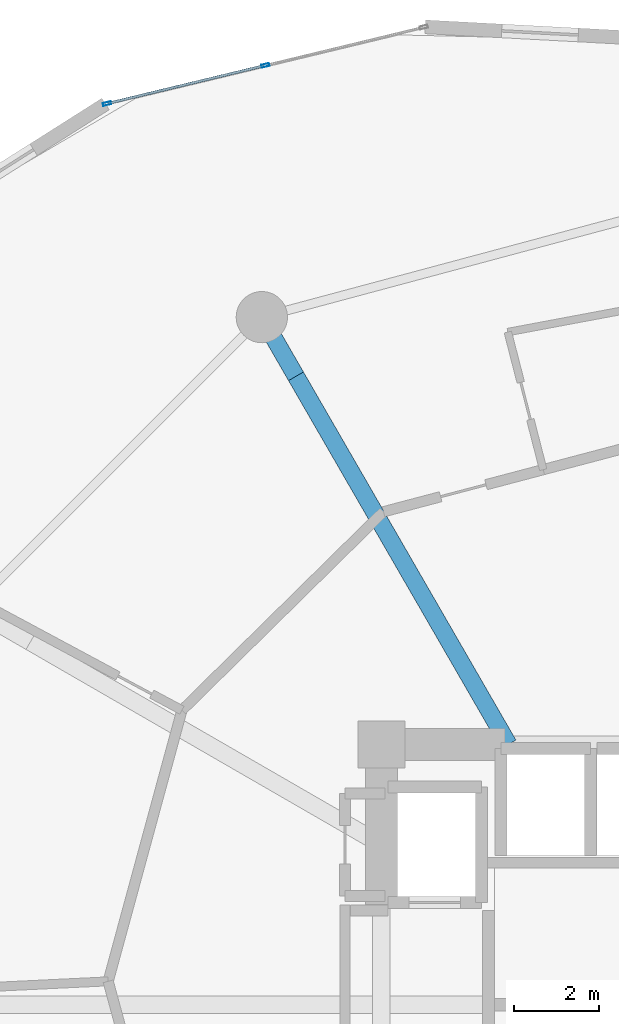
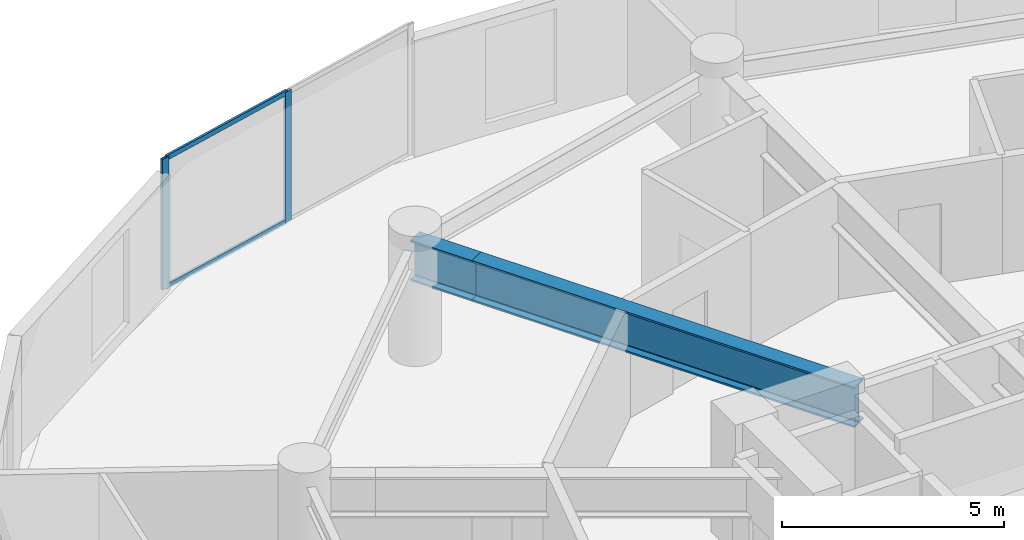
# One storey, part 13 of 24: 4 members, 2 beams, 1 element without a shape of its own.
"""IFC4 building model written with IfcOpenShell, lengths in metres."""

import ifcopenshell
import ifcopenshell.guid

model = None  # the IFC model being written
_history = None  # IfcOwnerHistory: only IFC2X3 demands one
_inside = {}  # id of a spatial element -> (the spatial element, [elements in it])
_under = {}  # id of a project, library or spatial element -> (it, [spatial elements below it])
_declared = {}  # id of a project -> (the project, [libraries it declares])
_typed = {}  # id of a type object -> (the type object, [elements of that type])
_made_of = {}  # id of a material, layer set ... -> (it, [elements and type objects made of it])


def new_model(schema):
    """Start an empty IFC model of exactly this schema.

    Asked for "IFC4X3", IfcOpenShell would pick the latest addendum, in which some entities
    have other attributes; the version numbers below select the first issue.
    IFC2X3 requires an IfcOwnerHistory on every rooted entity: one is made here for all.
    """
    global model, _history
    if schema == "IFC4X3":
        model = ifcopenshell.file(schema_version=(4, 3, 0, 0))
    else:
        model = ifcopenshell.file(schema=schema)
    _inside.clear()
    _under.clear()
    _declared.clear()
    _typed.clear()
    _made_of.clear()
    _history = None
    if model.schema == "IFC2X3":
        org = make("IfcOrganization", Name="unknown")
        user = make(
            "IfcPersonAndOrganization",
            ThePerson=make("IfcPerson", FamilyName="unknown"),
            TheOrganization=org,
        )
        app = make(
            "IfcApplication",
            ApplicationDeveloper=org,
            Version="unknown",
            ApplicationFullName="unknown",
            ApplicationIdentifier="unknown",
        )
        _history = make(
            "IfcOwnerHistory",
            OwningUser=user,
            OwningApplication=app,
            ChangeAction="ADDED",
            CreationDate=0,
        )
    return model


def make(cls, **values):
    """One entity of the class cls with the attributes given. An attribute that is None is left unset."""
    return model.create_entity(
        cls, **{name: value for name, value in values.items() if value is not None}
    )


def rooted(cls, **values):
    """An entity with a GlobalId (a new one), such as an element, a storey or a relation."""
    return make(cls, GlobalId=ifcopenshell.guid.new(), OwnerHistory=_history, **values)


def si_unit(unit_type, name, prefix=None):
    """IfcSIUnit, for example si_unit("LENGTHUNIT", "METRE", prefix="MILLI")."""
    return make("IfcSIUnit", UnitType=unit_type, Prefix=prefix, Name=name)


def assignment(units):
    """IfcUnitAssignment: the units of a project."""
    return None if units is None else make("IfcUnitAssignment", Units=units)


def point(xyz):
    """IfcCartesianPoint."""
    return None if xyz is None else make("IfcCartesianPoint", Coordinates=xyz)


def direction(xyz):
    """IfcDirection."""
    return None if xyz is None else make("IfcDirection", DirectionRatios=xyz)


def frame(location, z_axis=None, x_axis=None):
    """IfcAxis2Placement3D, a coordinate frame: its origin and axes. An axis left out is left unset."""
    return make(
        "IfcAxis2Placement3D",
        Location=point(location),
        Axis=direction(z_axis),
        RefDirection=direction(x_axis),
    )


def frame_2d(location, x_axis=None):
    """IfcAxis2Placement2D, a coordinate frame in the plane: its origin and x axis."""
    return make(
        "IfcAxis2Placement2D", Location=point(location), RefDirection=direction(x_axis)
    )


def origin():
    """The frame at (0, 0, 0) with its axes left unset."""
    return frame((0.0, 0.0, 0.0))


def origin_2d():
    """The frame at (0, 0) in the plane with its x axis left unset."""
    return frame_2d((0.0, 0.0))


def place(relative_to, where):
    """IfcLocalPlacement: puts the frame where relative to a parent placement (None: the world)."""
    return make(
        "IfcLocalPlacement", PlacementRelTo=relative_to, RelativePlacement=where
    )


def context(
    kind, dimensions, precision=None, world=None, true_north=None, identifier=None
):
    """IfcGeometricRepresentationContext, for example the 3D "Model" context."""
    return make(
        "IfcGeometricRepresentationContext",
        ContextIdentifier=identifier,
        ContextType=kind,
        CoordinateSpaceDimension=dimensions,
        Precision=precision,
        WorldCoordinateSystem=world,
        TrueNorth=true_north,
    )


def subcontext(parent, identifier, kind, view, scale=None):
    """IfcGeometricRepresentationSubContext, for example "Body" below "Model"."""
    return make(
        "IfcGeometricRepresentationSubContext",
        ContextIdentifier=identifier,
        ContextType=kind,
        ParentContext=parent,
        TargetScale=scale,
        TargetView=view,
    )


def project(units=None, contexts=None):
    """IfcProject with its units and contexts."""
    return rooted(
        "IfcProject",
        Name="project",
        RepresentationContexts=contexts,
        UnitsInContext=assignment(units),
    )


def spatial(cls, under=None, at=None, **own):
    """A site, building, storey or space (cls), placed at a placement, below another one or the project."""
    s = rooted(cls, ObjectPlacement=at, **own)
    if under is not None:
        _under.setdefault(under.id(), (under, []))[1].append(s)
    return s


def profile(cls, at=None, kind="AREA", **sizes):
    """A parametric profile (cls). Its sizes go by their IFC names, for example OverallWidth=200.0."""
    return make(cls, ProfileType=kind, Position=at, **sizes)


def hollow_rectangle(**sizes):
    """IfcRectangleHollowProfileDef."""
    return profile("IfcRectangleHollowProfileDef", **sizes)


def i_section(**sizes):
    """IfcIShapeProfileDef."""
    return profile("IfcIShapeProfileDef", **sizes)


def extrude(swept, where, along, depth):
    """IfcExtrudedAreaSolid: the profile swept, set in the frame where, extruded along a direction by depth."""
    return make(
        "IfcExtrudedAreaSolid",
        SweptArea=swept,
        Position=where,
        ExtrudedDirection=direction(along),
        Depth=depth,
    )


def shape(context_of_items, identifier, shape_type, items):
    """IfcShapeRepresentation: the items that make up one representation, for example the "Body"."""
    return make(
        "IfcShapeRepresentation",
        ContextOfItems=context_of_items,
        RepresentationIdentifier=identifier,
        RepresentationType=shape_type,
        Items=items,
    )


def source(mapping_origin, context_of_items, identifier, shape_type, items):
    """IfcRepresentationMap: a shape defined once, which mapped items show again and again."""
    return make(
        "IfcRepresentationMap",
        MappingOrigin=mapping_origin,
        MappedRepresentation=shape(context_of_items, identifier, shape_type, items),
    )


def transform(
    local_origin,
    x_axis=None,
    y_axis=None,
    z_axis=None,
    scale=None,
    scale2=None,
    scale3=None,
    uniform=True,
):
    """IfcCartesianTransformationOperator3D, or its non-uniform kind. x_axis, y_axis, z_axis: its Axis1, 2, 3."""
    if uniform:
        return make(
            "IfcCartesianTransformationOperator3D",
            Axis1=direction(x_axis),
            Axis2=direction(y_axis),
            LocalOrigin=point(local_origin),
            Scale=scale,
            Axis3=direction(z_axis),
        )
    return make(
        "IfcCartesianTransformationOperator3DnonUniform",
        Axis1=direction(x_axis),
        Axis2=direction(y_axis),
        LocalOrigin=point(local_origin),
        Scale=scale,
        Axis3=direction(z_axis),
        Scale2=scale2,
        Scale3=scale3,
    )


def mapped(mapping_source, mapping_target):
    """IfcMappedItem: shows the shape of a source again, moved by a transform."""
    return make(
        "IfcMappedItem", MappingSource=mapping_source, MappingTarget=mapping_target
    )


def material(Name=None, Category=None):
    """IfcMaterial."""
    return make("IfcMaterial", Name=Name, Category=Category)


def layer(
    of_material, thickness, ventilated=None, Name=None, Category=None, Priority=None
):
    """IfcMaterialLayer: one layer of a wall or slab, of a material (None: an air gap)."""
    return make(
        "IfcMaterialLayer",
        Material=of_material,
        LayerThickness=thickness,
        IsVentilated=ventilated,
        Name=Name,
        Category=Category,
        Priority=Priority,
    )


def layer_set(layers, Name=None):
    """IfcMaterialLayerSet."""
    return make("IfcMaterialLayerSet", MaterialLayers=layers, LayerSetName=Name)


def material_profile(
    of_material, cross_section, Name=None, Category=None, Priority=None
):
    """IfcMaterialProfile: a cross section and its material."""
    return make(
        "IfcMaterialProfile",
        Name=Name,
        Material=of_material,
        Profile=cross_section,
        Priority=Priority,
        Category=Category,
    )


def profile_set(profiles, Name=None, composite=None):
    """IfcMaterialProfileSet."""
    return make(
        "IfcMaterialProfileSet",
        Name=Name,
        MaterialProfiles=profiles,
        CompositeProfile=composite,
    )


def made_of(thing, what):
    """Note that an element or type object is made of a material, layer set ...; save() writes the relation."""
    if what is not None:
        _made_of.setdefault(what.id(), (what, []))[1].append(thing)
    return thing


def type_object(cls, material=None, **own):
    """A type object (cls), such as IfcWallType, which elements share."""
    return made_of(rooted(cls, **own), material)


def element(
    cls,
    number,
    at=None,
    inside=None,
    cuts=None,
    type_object=None,
    material=None,
    context=None,
    identifier="Body",
    shape_type=None,
    held_by="IfcProductDefinitionShape",
    body=None,
    shapes=None,
    **own,
):
    """One element of the class cls, such as IfcWall. Its Tag is "e" and its number.

    at: its placement. inside: the storey or other place that contains it. cuts: it is an
    opening in that element (IfcRelVoidsElement). A single representation is given by context,
    identifier, shape_type and body (its items); several are given by shapes. held_by: the class
    of the entity that holds the representations. save() writes the other relations.
    """
    e = rooted(cls, Tag="e%d" % number, ObjectPlacement=at, **own)
    if body is not None:
        shapes = [shape(context, identifier, shape_type, body)]
    if shapes is not None:
        e.Representation = make(held_by, Representations=shapes)
    if inside is not None:
        _inside.setdefault(inside.id(), (inside, []))[1].append(e)
    if cuts is not None:
        rooted(
            "IfcRelVoidsElement", RelatingBuildingElement=cuts, RelatedOpeningElement=e
        )
    if type_object is not None:
        _typed.setdefault(type_object.id(), (type_object, []))[1].append(e)
    return made_of(e, material)


def aggregate(whole, parts):
    """IfcRelAggregates: a whole, such as a stair, and the parts it consists of."""
    return rooted("IfcRelAggregates", RelatingObject=whole, RelatedObjects=parts)


def save(model, path):
    """Write the relations noted so far, then the file.

    IfcRelAggregates (storeys below a building ...), IfcRelContainedInSpatialStructure (elements
    in a storey), IfcRelDefinesByType, IfcRelAssociatesMaterial and IfcRelDeclares: one each for
    every whole, place, type object, material and project.
    """
    for whole, parts in _under.values():
        aggregate(whole, parts)
    for where, things in _inside.values():
        rooted(
            "IfcRelContainedInSpatialStructure",
            RelatedElements=things,
            RelatingStructure=where,
        )
    for kind, things in _typed.values():
        rooted("IfcRelDefinesByType", RelatedObjects=things, RelatingType=kind)
    for what, things in _made_of.values():
        rooted("IfcRelAssociatesMaterial", RelatedObjects=things, RelatingMaterial=what)
    for by, libraries in _declared.values():
        rooted("IfcRelDeclares", RelatingContext=by, RelatedDefinitions=libraries)
    model.write(path)


model = new_model("IFC4")

# Units and contexts
model_context = context("Model", 3, precision=1e-05, world=origin(), true_north=direction((0.0, 1.0)))
body_context = subcontext(model_context, "Body", "Model", "MODEL_VIEW")
ifc_project = project(units=[si_unit("LENGTHUNIT", "METRE"), si_unit("AREAUNIT", "SQUARE_METRE"), si_unit("VOLUMEUNIT", "CUBIC_METRE"), si_unit("PLANEANGLEUNIT", "RADIAN"), si_unit("MASSUNIT", "GRAM", prefix="KILO")], contexts=[model_context])

# Site, building, storey
site_placement = place(None, origin())
site = spatial("IfcSite", under=ifc_project, at=site_placement, CompositionType="ELEMENT")
building_placement = place(site_placement, origin())
building = spatial("IfcBuilding", under=site, at=building_placement, Name="Solvirekh Grand Hotel", CompositionType="ELEMENT")
storey_placement = place(building_placement, frame((0.0, 0.0, 89.60009765625)))
storey = spatial("IfcBuildingStorey", under=building, at=storey_placement, Name="L22", CompositionType="ELEMENT", Elevation=89.60009765625)

# Beams
ifc_material_1 = material(Name="Steel S460", Category="steel")
ifc_material_profile_1 = material_profile(ifc_material_1, i_section(OverallWidth=0.405029296875, OverallDepth=1.117919921875, WebThickness=0.02587890625, FlangeThickness=0.048095703125, FilletRadius=0.02392578125, at=origin_2d()), Name="W1100X499")
ifc_profile_set_1 = profile_set([ifc_material_profile_1], Name="Steel S460")
beam_type = type_object("IfcBeamType", Name="TransferGirder_W1100", PredefinedType="USERDEFINED", material=ifc_profile_set_1)
beam_1_placement = place(storey_placement, frame((-3.52294921875, 6.10009765625, 2.640869140625), z_axis=(-0.499942525684, 0.866058584054, 0.0), x_axis=(-0.866058584054, -0.499942525684, 0.0)))
element("IfcBeam", 1, at=beam_1_placement, inside=storey, type_object=beam_type, Name="L22 inner radial transfer girder 5A", ObjectType="TRANSFER GIRDER", PredefinedType="USERDEFINED", context=body_context, shape_type="SweptSolid", body=[
    extrude(i_section(OverallWidth=0.405029296875, OverallDepth=1.117919921875, WebThickness=0.02587890625, FlangeThickness=0.048095703125, FilletRadius=0.02392578125, at=origin_2d()), origin(), (0.0, 0.0, 1.0), 9.955322265625),
])
beam_2_placement = place(storey_placement, frame((-8.5, 14.721923828125, 2.640869140625), z_axis=(-0.499929347863, 0.866066190972, 0.0), x_axis=(-0.866066190972, -0.499929347863, 0.0)))
element("IfcBeam", 2, at=beam_2_placement, inside=storey, type_object=beam_type, Name="L22 outer radial transfer girder 5B", ObjectType="TRANSFER GIRDER", PredefinedType="USERDEFINED", context=body_context, shape_type="SweptSolid", body=[
    extrude(i_section(OverallWidth=0.405029296875, OverallDepth=1.117919921875, WebThickness=0.02587890625, FlangeThickness=0.048095703125, FilletRadius=0.02392578125, at=origin_2d()), origin(), (0.0, 0.0, 1.0), 1.600341796875),
])

# Curtain wall, members
ifc_material_2 = material(Name="Anodized Bronze Aluminium 6063-T6", Category="aluminium")
ifc_layer = layer(ifc_material_2, 0.18994140625)
ifc_layer_set = layer_set([ifc_layer], Name="Anodized Bronze Aluminium 6063-T6")
curtain_wall_type = type_object("IfcCurtainWallType", Name="CW_Sys2_LowZoneFlushBronzeCW", PredefinedType="NOTDEFINED", material=ifc_layer_set)
curtain_wall_placement = place(storey_placement, origin())
curtain_wall = element("IfcCurtainWall", 3, at=curtain_wall_placement, inside=storey, type_object=curtain_wall_type, Name="L22 unitised bronze-glass curtain wall CW-L22-C08", PredefinedType="NOTDEFINED")
ifc_material_profile_2 = material_profile(ifc_material_2, hollow_rectangle(XDim=0.070068359375, YDim=0.18994140625, WallThickness=0.0048828125, at=origin_2d()), Name="ALU RHS 190X70X5")
ifc_profile_set_2 = profile_set([ifc_material_profile_2], Name="Anodized Bronze Aluminium 6063-T6")
member_type_1 = type_object("IfcMemberType", Name="CWMullion_Sys2", PredefinedType="MULLION", material=ifc_profile_set_2)
shared_shape_1 = source(origin(), body_context, "Body", "SweptSolid", [
    extrude(hollow_rectangle(XDim=0.070068359375, YDim=0.18994140625, WallThickness=0.0048828125, at=origin_2d()), origin(), (0.0, 0.0, 1.0), 3.599853515625),
])
member_1_placement = place(storey_placement, frame((-9.217041015625, 22.00390625, 0.0), z_axis=(0.0, 0.0, 1.0), x_axis=(0.234648990915, -0.972080166994, 0.0)))
member_1 = element("IfcMember", 4, at=member_1_placement, type_object=member_type_1, Name="U02 mullion 2", PredefinedType="MULLION", context=body_context, shape_type="MappedRepresentation", body=[
    mapped(shared_shape_1, transform((0.0, 0.0, 0.0), x_axis=(1.0, 0.0, 0.0), y_axis=(0.0, 1.0, 0.0), z_axis=(0.0, 0.0, 1.0), scale=1.0)),
])
member_2_placement = place(storey_placement, frame((-12.927978515625, 21.108154296875, 0.0), z_axis=(0.0, 0.0, 1.0), x_axis=(0.234648990915, -0.972080166994, 0.0)))
member_2 = element("IfcMember", 5, at=member_2_placement, type_object=member_type_1, Name="U02 mullion 3", PredefinedType="MULLION", context=body_context, shape_type="MappedRepresentation", body=[
    mapped(shared_shape_1, transform((0.0, 0.0, 0.0), x_axis=(1.0, 0.0, 0.0), y_axis=(0.0, 1.0, 0.0), z_axis=(0.0, 0.0, 1.0), scale=1.0)),
])
ifc_material_profile_3 = material_profile(ifc_material_2, hollow_rectangle(XDim=0.06005859375, YDim=0.135009765625, WallThickness=0.00390625, at=origin_2d()), Name="ALU RHS 135X60X4")
ifc_profile_set_3 = profile_set([ifc_material_profile_3], Name="Anodized Bronze Aluminium 6063-T6")
member_type_2 = type_object("IfcMemberType", Name="CWTransom_Sys2", PredefinedType="USERDEFINED", material=ifc_profile_set_3)
shared_shape_2 = source(origin(), body_context, "Body", "SweptSolid", [
    extrude(hollow_rectangle(XDim=0.06005859375, YDim=0.135009765625, WallThickness=0.00390625, at=origin_2d()), origin(), (0.0, 0.0, 1.0), 3.747802734375),
])
member_3_placement = place(storey_placement, frame((-9.2509765625, 21.995849609375, 0.02978515625), z_axis=(-0.972080159059, -0.234649023786, 0.0), x_axis=(0.234649023786, -0.972080159059, 0.0)))
member_3 = element("IfcMember", 6, at=member_3_placement, type_object=member_type_2, Name="U02 transom 2.1", ObjectType="TRANSOM", PredefinedType="USERDEFINED", context=body_context, shape_type="MappedRepresentation", body=[
    mapped(shared_shape_2, transform((0.0, 0.0, 0.0), x_axis=(1.0, 0.0, 0.0), y_axis=(0.0, 1.0, 0.0), z_axis=(0.0, 0.0, 1.0), scale=1.0)),
])
member_4_placement = place(storey_placement, frame((-9.2509765625, 21.995849609375, 3.56982421875), z_axis=(-0.972080159059, -0.234649023786, 0.0), x_axis=(0.234649023786, -0.972080159059, 0.0)))
member_4 = element("IfcMember", 7, at=member_4_placement, type_object=member_type_2, Name="U02 transom 2.2", ObjectType="TRANSOM", PredefinedType="USERDEFINED", context=body_context, shape_type="MappedRepresentation", body=[
    mapped(shared_shape_2, transform((0.0, 0.0, 0.0), x_axis=(1.0, 0.0, 0.0), y_axis=(0.0, 1.0, 0.0), z_axis=(0.0, 0.0, 1.0), scale=1.0)),
])
aggregate(curtain_wall, [member_1, member_2, member_3, member_4])

save(model, "model.ifc")
